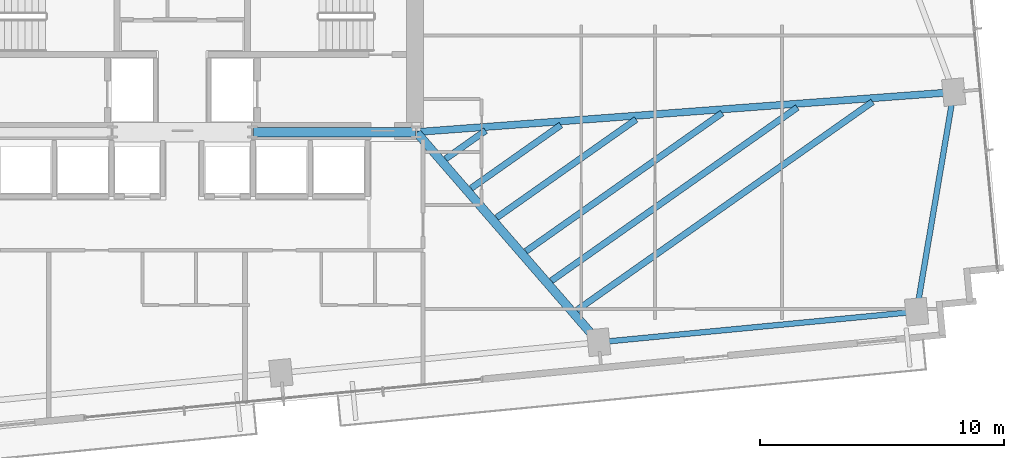
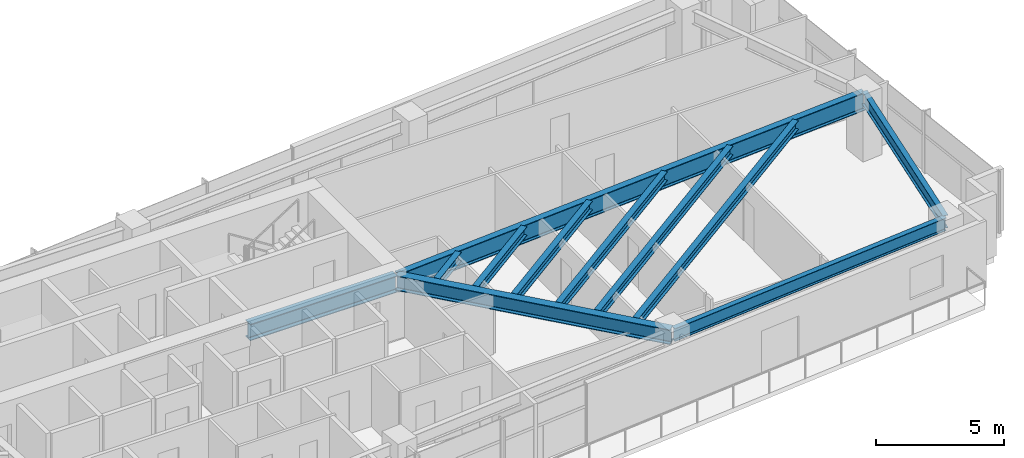
# One storey, part 13 of 25: 11 beams.
"""IFC4 building model written with IfcOpenShell, lengths in metres."""

from ifc_helpers import new_model, si_unit, direction, frame, origin, origin_2d, place, context, subcontext, project, spatial, i_section, extrude, source, transform, mapped, material, material_profile, profile_set, type_object, type_shapes, element, save


model = new_model("IFC4")

# Units and contexts
model_context = context("Model", 3, precision=1e-05, world=origin(), true_north=direction((0.0, 1.0)))
body_context = subcontext(model_context, "Body", "Model", "MODEL_VIEW")
ifc_project = project(units=[si_unit("LENGTHUNIT", "METRE"), si_unit("AREAUNIT", "SQUARE_METRE"), si_unit("VOLUMEUNIT", "CUBIC_METRE"), si_unit("PLANEANGLEUNIT", "RADIAN"), si_unit("MASSUNIT", "GRAM", prefix="KILO")], contexts=[model_context])

# Site, building, storey
site_placement = place(None, origin())
site = spatial("IfcSite", under=ifc_project, at=site_placement, CompositionType="ELEMENT")
building_placement = place(site_placement, origin())
building = spatial("IfcBuilding", under=site, at=building_placement, Name="Astriad Promenade Condominiums", CompositionType="ELEMENT")
storey_placement = place(building_placement, frame((0.0, 0.0, 100.199951171875)))
storey = spatial("IfcBuildingStorey", under=building, at=storey_placement, Name="L28", CompositionType="ELEMENT", Elevation=100.199951171875)

# Beams
ifc_material = material(Name="Steel ASTM A992 Grade 50", Category="steel")
ifc_material_profile_1 = material_profile(ifc_material, i_section(OverallWidth=0.3837890625, OverallDepth=0.785888671875, WebThickness=0.019775390625, FlangeThickness=0.033447265625, FilletRadius=0.021484375, at=origin_2d()), Name="W30X211")
ifc_profile_set_1 = profile_set([ifc_material_profile_1], Name="Steel ASTM A992 Grade 50")
beam_type_1 = type_object("IfcBeamType", Name="STEEL FLOOR GIRDER W30X211", PredefinedType="BEAM", material=ifc_profile_set_1)
shared_shape_1 = source(origin(), body_context, "Body", "SweptSolid", [
    extrude(i_section(OverallWidth=0.3837890625, OverallDepth=0.785888671875, WebThickness=0.019775390625, FlangeThickness=0.033447265625, FilletRadius=0.021484375, at=origin_2d()), origin(), (0.0, 0.0, 1.0), 6.64013671875),
])
type_shapes(beam_type_1, [shared_shape_1])
beam_1_placement = place(storey_placement, frame((38.919921875, 17.39990234375, 2.547119140625), z_axis=(1.0, 0.0, 0.0), x_axis=(0.0, 1.0, 0.0)))
element("IfcBeam", 1, at=beam_1_placement, inside=storey, type_object=beam_type_1, Name="Core Ring Beam CG-S3-L28", PredefinedType="BEAM", context=body_context, shape_type="MappedRepresentation", body=[
    mapped(shared_shape_1, transform((0.0, 0.0, 0.0), scale=1.0)),
])
ifc_material_profile_2 = material_profile(ifc_material, i_section(OverallWidth=0.22900390625, OverallDepth=0.612060546875, WebThickness=0.011962890625, FlangeThickness=0.01953125, FilletRadius=0.017822265625, at=origin_2d()), Name="W24X84")
ifc_profile_set_2 = profile_set([ifc_material_profile_2], Name="Steel ASTM A992 Grade 50")
beam_type_2 = type_object("IfcBeamType", Name="STEEL SPANDREL BEAM W24X84", PredefinedType="SPANDREL", material=ifc_profile_set_2)
shared_shape_2 = source(origin(), body_context, "Body", "SweptSolid", [
    extrude(i_section(OverallWidth=0.22900390625, OverallDepth=0.612060546875, WebThickness=0.011962890625, FlangeThickness=0.01953125, FilletRadius=0.017822265625, at=origin_2d()), origin(), (0.0, 0.0, 1.0), 13.020263671875),
])
beam_2_placement = place(storey_placement, frame((53.124755859375, 8.780029296875, 2.634033203125), z_axis=(0.995395311238, 0.095854965264, 0.0), x_axis=(-0.095854965264, 0.995395311238, 0.0)))
element("IfcBeam", 2, at=beam_2_placement, inside=storey, type_object=beam_type_2, Name="Perimeter Spandrel Beam SP-S4-L28", PredefinedType="SPANDREL", context=body_context, shape_type="MappedRepresentation", body=[
    mapped(shared_shape_2, transform((0.0, 0.0, 0.0), scale=1.0)),
])
shared_shape_3 = source(origin(), body_context, "Body", "SweptSolid", [
    extrude(i_section(OverallWidth=0.22900390625, OverallDepth=0.612060546875, WebThickness=0.011962890625, FlangeThickness=0.01953125, FilletRadius=0.017822265625, at=origin_2d()), origin(), (0.0, 0.0, 1.0), 9.055419921875),
])
type_shapes(beam_type_2, [shared_shape_2, shared_shape_3])
beam_3_placement = place(storey_placement, frame((66.13134765625, 10.0712890625, 2.634033203125), z_axis=(0.166776851291, 0.98599466625, 0.0), x_axis=(-0.98599466625, 0.166776851291, 0.0)))
element("IfcBeam", 3, at=beam_3_placement, inside=storey, type_object=beam_type_2, Name="Perimeter Spandrel Beam SP-E1-L28", PredefinedType="SPANDREL", context=body_context, shape_type="MappedRepresentation", body=[
    mapped(shared_shape_3, transform((0.0, 0.0, 0.0), scale=1.0)),
])
ifc_material_profile_3 = material_profile(ifc_material, i_section(OverallWidth=0.35791015625, OverallDepth=0.706298828125, WebThickness=0.018310546875, FlangeThickness=0.0302734375, FilletRadius=0.020263671875, at=origin_2d()), Name="W27X178")
ifc_profile_set_3 = profile_set([ifc_material_profile_3], Name="Steel ASTM A992 Grade 50")
beam_type_3 = type_object("IfcBeamType", Name="STEEL FLOOR GIRDER W27X178", PredefinedType="BEAM", material=ifc_profile_set_3)
shared_shape_4 = source(origin(), body_context, "Body", "SweptSolid", [
    extrude(i_section(OverallWidth=0.35791015625, OverallDepth=0.706298828125, WebThickness=0.018310546875, FlangeThickness=0.0302734375, FilletRadius=0.020263671875, at=origin_2d()), origin(), (0.0, 0.0, 1.0), 11.339111328125),
])
type_shapes(beam_type_3, [shared_shape_4])
beam_4_placement = place(storey_placement, frame((53.058837890625, 8.806396484375, 2.5869140625), z_axis=(-0.65548120109, 0.755211490258, 0.0), x_axis=(-0.755211490258, -0.65548120109, 0.0)))
element("IfcBeam", 4, at=beam_4_placement, inside=storey, type_object=beam_type_3, Name="Primary Floor Girder PG-E2-L28", PredefinedType="BEAM", context=body_context, shape_type="MappedRepresentation", body=[
    mapped(shared_shape_4, transform((0.0, 0.0, 0.0), scale=1.0)),
])
ifc_material_profile_4 = material_profile(ifc_material, i_section(OverallWidth=0.2919921875, OverallDepth=0.85888671875, WebThickness=0.01708984375, FlangeThickness=0.031005859375, FilletRadius=0.02294921875, at=origin_2d()), Name="W33X169")
ifc_profile_set_4 = profile_set([ifc_material_profile_4], Name="Steel ASTM A992 Grade 50")
beam_type_4 = type_object("IfcBeamType", Name="STEEL PRIMARY GIRDER W33X169", PredefinedType="BEAM", material=ifc_profile_set_4)
shared_shape_5 = source(origin(), body_context, "Body", "SweptSolid", [
    extrude(i_section(OverallWidth=0.2919921875, OverallDepth=0.85888671875, WebThickness=0.01708984375, FlangeThickness=0.031005859375, FilletRadius=0.02294921875, at=origin_2d()), origin(), (0.0, 0.0, 1.0), 22.029052734375),
])
type_shapes(beam_type_4, [shared_shape_5])
beam_5_placement = place(storey_placement, frame((67.6083984375, 19.036376953125, 2.510498046875), z_axis=(-0.99724763887, -0.074142745897, 0.0), x_axis=(0.074142745897, -0.99724763887, 0.0)))
element("IfcBeam", 5, at=beam_5_placement, inside=storey, type_object=beam_type_4, Name="Primary Floor Girder PG-EM-L28", PredefinedType="BEAM", context=body_context, shape_type="MappedRepresentation", body=[
    mapped(shared_shape_5, transform((0.0, 0.0, 0.0), scale=1.0)),
])
ifc_material_profile_5 = material_profile(ifc_material, i_section(OverallWidth=0.26318359375, OverallDepth=0.425537109375, WebThickness=0.01318359375, FlangeThickness=0.022216796875, FilletRadius=0.013916015625, at=origin_2d()), Name="W16X89")
ifc_profile_set_5 = profile_set([ifc_material_profile_5], Name="Steel ASTM A992 Grade 50")
beam_type_5 = type_object("IfcBeamType", Name="STEEL FLOOR JOIST W16X89", PredefinedType="JOIST", material=ifc_profile_set_5)
shared_shape_6 = source(origin(), body_context, "Body", "SweptSolid", [
    extrude(i_section(OverallWidth=0.26318359375, OverallDepth=0.425537109375, WebThickness=0.01318359375, FlangeThickness=0.022216796875, FilletRadius=0.013916015625, at=origin_2d()), origin(), (0.0, 0.0, 1.0), 14.838134765625),
])
beam_6_placement = place(storey_placement, frame((52.192138671875, 10.093017578125, 2.727294921875), z_axis=(0.817419044294, 0.576043493171, 0.0), x_axis=(-0.576043493171, 0.817419044294, 0.0)))
element("IfcBeam", 6, at=beam_6_placement, inside=storey, type_object=beam_type_5, Name="Secondary Composite Floor Joist JE1-1-L28", PredefinedType="JOIST", context=body_context, shape_type="MappedRepresentation", body=[
    mapped(shared_shape_6, transform((0.0, 0.0, 0.0), scale=1.0)),
])
shared_shape_7 = source(origin(), body_context, "Body", "SweptSolid", [
    extrude(i_section(OverallWidth=0.26318359375, OverallDepth=0.425537109375, WebThickness=0.01318359375, FlangeThickness=0.022216796875, FilletRadius=0.013916015625, at=origin_2d()), origin(), (0.0, 0.0, 1.0), 12.34375),
])
beam_7_placement = place(storey_placement, frame((51.144287109375, 11.30029296875, 2.727294921875), z_axis=(0.817418723738, 0.576043948048, 0.0), x_axis=(-0.576043948048, 0.817418723738, 0.0)))
element("IfcBeam", 7, at=beam_7_placement, inside=storey, type_object=beam_type_5, Name="Secondary Composite Floor Joist JE1-2-L28", PredefinedType="JOIST", context=body_context, shape_type="MappedRepresentation", body=[
    mapped(shared_shape_7, transform((0.0, 0.0, 0.0), scale=1.0)),
])
shared_shape_8 = source(origin(), body_context, "Body", "SweptSolid", [
    extrude(i_section(OverallWidth=0.26318359375, OverallDepth=0.425537109375, WebThickness=0.01318359375, FlangeThickness=0.022216796875, FilletRadius=0.013916015625, at=origin_2d()), origin(), (0.0, 0.0, 1.0), 9.849609375),
])
beam_8_placement = place(storey_placement, frame((50.096435546875, 12.507568359375, 2.727294921875), z_axis=(0.817418240833, 0.5760446333, 0.0), x_axis=(-0.5760446333, 0.817418240833, 0.0)))
element("IfcBeam", 8, at=beam_8_placement, inside=storey, type_object=beam_type_5, Name="Secondary Composite Floor Joist JE1-3-L28", PredefinedType="JOIST", context=body_context, shape_type="MappedRepresentation", body=[
    mapped(shared_shape_8, transform((0.0, 0.0, 0.0), scale=1.0)),
])
shared_shape_9 = source(origin(), body_context, "Body", "SweptSolid", [
    extrude(i_section(OverallWidth=0.26318359375, OverallDepth=0.425537109375, WebThickness=0.01318359375, FlangeThickness=0.022216796875, FilletRadius=0.013916015625, at=origin_2d()), origin(), (0.0, 0.0, 1.0), 6.9990234375),
])
beam_9_placement = place(storey_placement, frame((48.898681640625, 13.88720703125, 2.727294921875), z_axis=(0.81742196028, 0.576039355298, 0.0), x_axis=(-0.576039355298, 0.81742196028, 0.0)))
element("IfcBeam", 9, at=beam_9_placement, inside=storey, type_object=beam_type_5, Name="Secondary Composite Floor Joist JE1-4-L28", PredefinedType="JOIST", context=body_context, shape_type="MappedRepresentation", body=[
    mapped(shared_shape_9, transform((0.0, 0.0, 0.0), scale=1.0)),
])
shared_shape_10 = source(origin(), body_context, "Body", "SweptSolid", [
    extrude(i_section(OverallWidth=0.26318359375, OverallDepth=0.425537109375, WebThickness=0.01318359375, FlangeThickness=0.022216796875, FilletRadius=0.013916015625, at=origin_2d()), origin(), (0.0, 0.0, 1.0), 4.504638671875),
])
beam_10_placement = place(storey_placement, frame((47.850830078125, 15.0947265625, 2.727294921875), z_axis=(0.817448215019, 0.576002097012, 0.0), x_axis=(-0.576002097012, 0.817448215019, 0.0)))
element("IfcBeam", 10, at=beam_10_placement, inside=storey, type_object=beam_type_5, Name="Secondary Composite Floor Joist JE1-5-L28", PredefinedType="JOIST", context=body_context, shape_type="MappedRepresentation", body=[
    mapped(shared_shape_10, transform((0.0, 0.0, 0.0), scale=1.0)),
])
shared_shape_11 = source(origin(), body_context, "Body", "SweptSolid", [
    extrude(i_section(OverallWidth=0.26318359375, OverallDepth=0.425537109375, WebThickness=0.01318359375, FlangeThickness=0.022216796875, FilletRadius=0.013916015625, at=origin_2d()), origin(), (0.0, 0.0, 1.0), 2.01025390625),
])
type_shapes(beam_type_5, [shared_shape_6, shared_shape_7, shared_shape_8, shared_shape_9, shared_shape_10, shared_shape_11])
beam_11_placement = place(storey_placement, frame((46.802978515625, 16.302001953125, 2.727294921875), z_axis=(0.8174421453, 0.576010710913, 0.0), x_axis=(-0.576010710913, 0.8174421453, 0.0)))
element("IfcBeam", 11, at=beam_11_placement, inside=storey, type_object=beam_type_5, Name="Secondary Composite Floor Joist JE1-6-L28", PredefinedType="JOIST", context=body_context, shape_type="MappedRepresentation", body=[
    mapped(shared_shape_11, transform((0.0, 0.0, 0.0), scale=1.0)),
])

save(model, "model.ifc")
